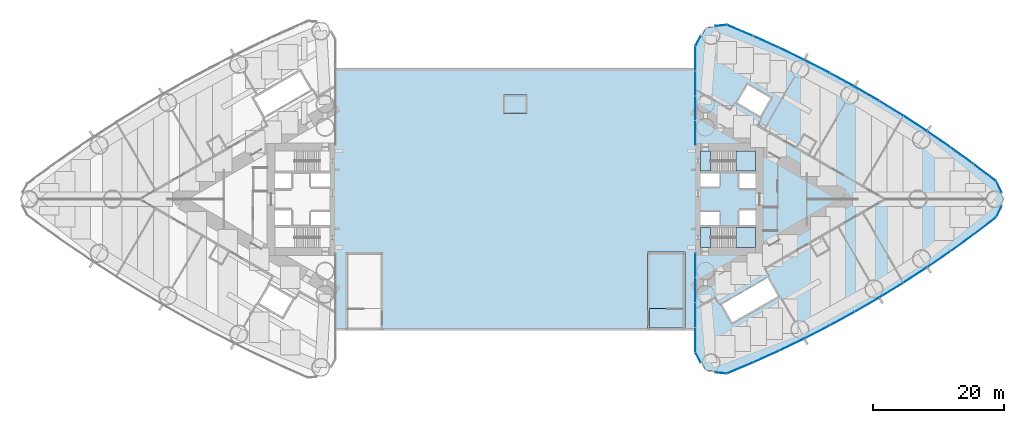
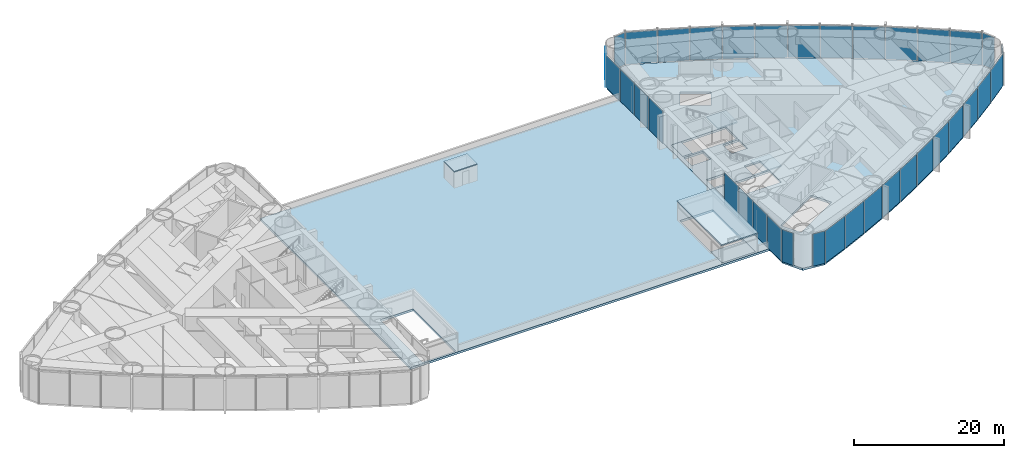
# One storey, part 15 of 23: 37 plates, 8 slabs, 6 elements without a shape of their own.
"""IFC4 building model written with IfcOpenShell, lengths in metres."""

from ifc_helpers import new_model, si_unit, direction, frame, origin, origin_2d, place, context, subcontext, project, spatial, polyline, rectangle, outline, extrude, material, layer, layer_set, type_object, element, aggregate, save


model = new_model("IFC4")

# Units and contexts
model_context = context("Model", 3, precision=1e-05, world=origin(), true_north=direction((0.0, 1.0)))
body_context = subcontext(model_context, "Body", "Model", "MODEL_VIEW")
ifc_project = project(units=[si_unit("LENGTHUNIT", "METRE"), si_unit("AREAUNIT", "SQUARE_METRE"), si_unit("VOLUMEUNIT", "CUBIC_METRE"), si_unit("PLANEANGLEUNIT", "RADIAN"), si_unit("MASSUNIT", "GRAM", prefix="KILO")], contexts=[model_context])

# Site, building, storey
site_placement = place(None, origin())
site = spatial("IfcSite", under=ifc_project, at=site_placement, CompositionType="ELEMENT")
building_placement = place(site_placement, origin())
building = spatial("IfcBuilding", under=site, at=building_placement, Name="Lancet Gate Hotel", CompositionType="ELEMENT")
storey_placement = place(building_placement, frame((0.0, 0.0, 12.60009765625)))
storey = spatial("IfcBuildingStorey", under=building, at=storey_placement, Name="L02", CompositionType="ELEMENT", Elevation=12.60009765625)

# Slabs
ifc_material_1 = material(Name="Concrete C50/60", Category="concrete")
ifc_layer_1 = layer(ifc_material_1, 0.35009765625)
ifc_layer_set_1 = layer_set([ifc_layer_1], Name="Floor slab 350")
slab_type_1 = type_object("IfcSlabType", Name="Floor slab 350", PredefinedType="FLOOR", material=ifc_layer_set_1)
slab_1_placement = place(storey_placement, frame((0.0, 0.0, -0.35009765625)))
element("IfcSlab", 1, at=slab_1_placement, inside=storey, type_object=slab_type_1, Name="T2 L02 floor slab", PredefinedType="FLOOR", context=body_context, shape_type="SweptSolid", body=[
    extrude(outline(polyline([(27.6201171875, 23.35498046875), (27.6201171875, -23.35498046875), (29.12158203125, -26.175537109375), (32.299072265625, -26.5048828125), (36.26708984375, -24.833740234375), (40.2177734375, -23.050048828125), (44.121826171875, -21.16650390625), (47.9765625, -19.18408203125), (51.77978515625, -17.104248046875), (55.528564453125, -14.92822265625), (59.220947265625, -12.657470703125), (62.854248046875, -10.29345703125), (66.42626953125, -7.837890625), (69.934814453125, -5.292236328125), (73.355712890625, -2.67431640625), (74.65576171875, 0.0), (73.355712890625, 2.67431640625), (69.934814453125, 5.292236328125), (66.42626953125, 7.837890625), (62.854248046875, 10.29345703125), (59.220947265625, 12.657470703125), (55.528564453125, 14.92822265625), (51.77978515625, 17.104248046875), (47.9765625, 19.18408203125), (44.121826171875, 21.16650390625), (40.2177734375, 23.050048828125), (36.26708984375, 24.833740234375), (32.299072265625, 26.5048828125), (29.12158203125, 26.175537109375), (27.6201171875, 23.35498046875)]), holes=[polyline([(36.699951171875, -7.39990234375), (36.699951171875, -4.300048828125), (28.300048828125, -4.300048828125), (28.300048828125, -7.39990234375), (36.699951171875, -7.39990234375)]), polyline([(28.300048828125, -4.0), (31.199951171875, -4.0), (31.199951171875, -1.89990234375), (28.300048828125, -1.89990234375), (28.300048828125, -4.0)]), polyline([(34.25, -4.0), (36.699951171875, -4.0), (36.699951171875, -1.64990234375), (34.25, -1.64990234375), (34.25, -4.0)]), polyline([(36.699951171875, 1.64990234375), (36.699951171875, 4.0), (34.25, 4.0), (34.25, 1.64990234375), (36.699951171875, 1.64990234375)]), polyline([(28.300048828125, 1.89990234375), (31.199951171875, 1.89990234375), (31.199951171875, 4.0), (28.300048828125, 4.0), (28.300048828125, 1.89990234375)]), polyline([(28.300048828125, 4.300048828125), (36.699951171875, 4.300048828125), (36.699951171875, 7.39990234375), (28.300048828125, 7.39990234375), (28.300048828125, 4.300048828125)]), polyline([(31.549072265625, -16.0810546875), (33.14892578125, -18.85205078125), (40.1640625, -14.802001953125), (38.56396484375, -12.031005859375), (31.549072265625, -16.0810546875)]), polyline([(33.887939453125, 14.73095703125), (37.43798828125, 12.680908203125), (39.0380859375, 15.451904296875), (35.488037109375, 17.501953125), (33.887939453125, 14.73095703125)])]), origin(), (0.0, 0.0, 1.0), 0.35009765625),
])
ifc_material_2 = material(Name="Concrete C50/60", Category="concrete")
ifc_layer_2 = layer(ifc_material_2, 0.35009765625)
ifc_layer_set_2 = layer_set([ifc_layer_2], Name="Podium roof slab 350")
slab_type_2 = type_object("IfcSlabType", Name="Podium roof slab 350", PredefinedType="ROOF", material=ifc_layer_set_2)
slab_2_placement = place(storey_placement, frame((0.0, 0.0, -0.35009765625)))
element("IfcSlab", 2, at=slab_2_placement, inside=storey, type_object=slab_type_2, Name="Maintenance roof", PredefinedType="ROOF", context=body_context, shape_type="SweptSolid", body=[
    extrude(outline(polyline([(27.6201171875, 20.0), (-27.6201171875, 20.0), (-27.6201171875, -20.0), (27.6201171875, -20.0), (27.6201171875, 20.0)]), holes=[polyline([(-20.5, -19.699951171875), (-20.5, -8.3798828125), (-25.60009765625, -8.3798828125), (-25.60009765625, -19.699951171875), (-20.5, -19.699951171875)]), polyline([(25.60009765625, -19.699951171875), (25.60009765625, -8.3798828125), (20.5, -8.3798828125), (20.5, -19.699951171875), (25.60009765625, -19.699951171875)])]), origin(), (0.0, 0.0, 1.0), 0.35009765625),
])
ifc_material_3 = material(Name="Concrete C40/50", Category="concrete")
ifc_layer_3 = layer(ifc_material_3, 0.199951171875)
ifc_layer_set_3 = layer_set([ifc_layer_3], Name="Podium stair head-house roof 200")
slab_type_3 = type_object("IfcSlabType", Name="Podium stair head-house roof 200", PredefinedType="ROOF", material=ifc_layer_set_3)
slab_3_placement = place(storey_placement, frame((0.0, 0.0, 3.0)))
element("IfcSlab", 3, at=slab_3_placement, inside=storey, type_object=slab_type_3, Name="Podium stair PS5 head-house roof", PredefinedType="ROOF", context=body_context, shape_type="SweptSolid", body=[
    extrude(outline(polyline([(20.199951171875, -20.0), (25.89990234375, -20.0), (25.89990234375, -8.080078125), (20.199951171875, -8.080078125), (20.199951171875, -20.0)])), origin(), (0.0, 0.0, 1.0), 0.199951171875),
])

# Curtain wall, plates
ifc_material_4 = material(Name="Aluminium curtain wall", Category="aluminium")
curtain_wall_type = type_object("IfcCurtainWallType", Name="Podium curtain wall", PredefinedType="USERDEFINED", material=ifc_material_4)
curtain_wall_1_placement = place(storey_placement, origin())
curtain_wall_1 = element("IfcCurtainWall", 4, at=curtain_wall_1_placement, inside=storey, type_object=curtain_wall_type, Name="T2 L02 curtain wall 1", ObjectType="UNITISED CURTAIN WALL", PredefinedType="USERDEFINED")
ifc_material_5 = material(Name="Glass double glazed unit 10-16-10", Category="glass")
ifc_layer_4 = layer(ifc_material_5, 0.035888671875)
ifc_layer_set_4 = layer_set([ifc_layer_4], Name="Podium vision panel")
plate_type_1 = type_object("IfcPlateType", Name="Podium vision panel", PredefinedType="CURTAIN_PANEL", material=ifc_layer_set_4)
plate_1_placement = place(storey_placement, frame((27.5, -10.09814453125, 0.0), z_axis=(0.0, 0.0, 1.0), x_axis=(0.0, -1.0, 0.0)))
plate_1 = element("IfcPlate", 5, at=plate_1_placement, type_object=plate_type_1, Name="T2 L02 curtain wall 1 panel 1", PredefinedType="CURTAIN_PANEL", context=body_context, shape_type="SweptSolid", body=[
    extrude(rectangle(XDim=3.731201171875, YDim=0.035888671875, at=origin_2d()), origin(), (0.0, 0.0, 1.0), 5.25),
])
plate_2_placement = place(storey_placement, frame((27.5, -13.894287109375, 0.0), z_axis=(0.0, 0.0, 1.0), x_axis=(0.0, -1.0, 0.0)))
plate_2 = element("IfcPlate", 6, at=plate_2_placement, type_object=plate_type_1, Name="T2 L02 curtain wall 1 panel 2", PredefinedType="CURTAIN_PANEL", context=body_context, shape_type="SweptSolid", body=[
    extrude(rectangle(XDim=3.731201171875, YDim=0.035888671875, at=origin_2d()), origin(), (0.0, 0.0, 1.0), 5.25),
])
plate_3_placement = place(storey_placement, frame((27.5, -17.6904296875, 0.0), z_axis=(0.0, 0.0, 1.0), x_axis=(0.0, -1.0, 0.0)))
plate_3 = element("IfcPlate", 7, at=plate_3_placement, type_object=plate_type_1, Name="T2 L02 curtain wall 1 panel 3", PredefinedType="CURTAIN_PANEL", context=body_context, shape_type="SweptSolid", body=[
    extrude(rectangle(XDim=3.731201171875, YDim=0.035888671875, at=origin_2d()), origin(), (0.0, 0.0, 1.0), 5.25),
])
plate_4_placement = place(storey_placement, frame((27.5, -21.48681640625, 0.0), z_axis=(0.0, 0.0, 1.0), x_axis=(0.0, -1.0, 0.0)))
plate_4 = element("IfcPlate", 8, at=plate_4_placement, type_object=plate_type_1, Name="T2 L02 curtain wall 1 panel 4", PredefinedType="CURTAIN_PANEL", context=body_context, shape_type="SweptSolid", body=[
    extrude(rectangle(XDim=3.731201171875, YDim=0.035888671875, at=origin_2d()), origin(), (0.0, 0.0, 1.0), 5.25),
])
plate_5_placement = place(storey_placement, frame((27.933349609375, -24.19873046875, 0.0), z_axis=(0.0, 0.0, 1.0), x_axis=(0.469897827284, -0.882720811987, 0.0)))
plate_5 = element("IfcPlate", 9, at=plate_5_placement, type_object=plate_type_1, Name="T2 L02 curtain wall 1 panel 5", PredefinedType="CURTAIN_PANEL", context=body_context, shape_type="SweptSolid", body=[
    extrude(rectangle(XDim=1.779052734375, YDim=0.035888671875, at=origin_2d()), origin(), (0.0, 0.0, 1.0), 5.25),
])
aggregate(curtain_wall_1, [plate_1, plate_2, plate_3, plate_4, plate_5])

curtain_wall_2_placement = place(storey_placement, origin())
curtain_wall_2 = element("IfcCurtainWall", 10, at=curtain_wall_2_placement, inside=storey, type_object=curtain_wall_type, Name="T2 L02 curtain wall 2", ObjectType="UNITISED CURTAIN WALL", PredefinedType="USERDEFINED")
plate_6_placement = place(storey_placement, frame((31.400634765625, -26.532470703125, 0.0), z_axis=(0.0, 0.0, 1.0), x_axis=(0.994672262412, -0.10308778001, 0.0)))
plate_6 = element("IfcPlate", 11, at=plate_6_placement, type_object=plate_type_1, Name="T2 L02 curtain wall 2 panel 1", PredefinedType="CURTAIN_PANEL", context=body_context, shape_type="SweptSolid", body=[
    extrude(rectangle(XDim=1.7783203125, YDim=0.035888671875, at=origin_2d()), origin(), (0.0, 0.0, 1.0), 5.25),
])
plate_7_placement = place(storey_placement, frame((34.316162109375, -25.78564453125, 0.0), z_axis=(0.0, 0.0, 1.0), x_axis=(0.92159330598, 0.38815689917, 0.0)))
plate_7 = element("IfcPlate", 12, at=plate_7_placement, type_object=plate_type_1, Name="T2 L02 curtain wall 2 panel 2", PredefinedType="CURTAIN_PANEL", context=body_context, shape_type="SweptSolid", body=[
    extrude(rectangle(XDim=4.272705078125, YDim=0.035888671875, at=origin_2d()), origin(), (0.0, 0.0, 1.0), 5.25),
])
plate_8_placement = place(storey_placement, frame((38.291748046875, -24.05126953125, 0.0), z_axis=(0.0, 0.0, 1.0), x_axis=(0.911415640556, 0.41148697446, 0.0)))
plate_8 = element("IfcPlate", 13, at=plate_8_placement, type_object=plate_type_1, Name="T2 L02 curtain wall 2 panel 3", PredefinedType="CURTAIN_PANEL", context=body_context, shape_type="SweptSolid", body=[
    extrude(rectangle(XDim=4.272705078125, YDim=0.035888671875, at=origin_2d()), origin(), (0.0, 0.0, 1.0), 5.25),
])
plate_9_placement = place(storey_placement, frame((42.221923828125, -22.21630859375, 0.0), z_axis=(0.0, 0.0, 1.0), x_axis=(0.90064748964, 0.434550456686, 0.0)))
plate_9 = element("IfcPlate", 14, at=plate_9_placement, type_object=plate_type_1, Name="T2 L02 curtain wall 2 panel 4", PredefinedType="CURTAIN_PANEL", context=body_context, shape_type="SweptSolid", body=[
    extrude(rectangle(XDim=4.272705078125, YDim=0.035888671875, at=origin_2d()), origin(), (0.0, 0.0, 1.0), 5.25),
])
plate_10_placement = place(storey_placement, frame((46.10400390625, -20.281982421875, 0.0), z_axis=(0.0, 0.0, 1.0), x_axis=(0.889295829671, 0.457332403541, 0.0)))
plate_10 = element("IfcPlate", 15, at=plate_10_placement, type_object=plate_type_1, Name="T2 L02 curtain wall 2 panel 5", PredefinedType="CURTAIN_PANEL", context=body_context, shape_type="SweptSolid", body=[
    extrude(rectangle(XDim=4.272705078125, YDim=0.035888671875, at=origin_2d()), origin(), (0.0, 0.0, 1.0), 5.25),
])
plate_11_placement = place(storey_placement, frame((49.935791015625, -18.249267578125, 0.0), z_axis=(0.0, 0.0, 1.0), x_axis=(0.877368015134, 0.47981805512, 0.0)))
plate_11 = element("IfcPlate", 16, at=plate_11_placement, type_object=plate_type_1, Name="T2 L02 curtain wall 2 panel 6", PredefinedType="CURTAIN_PANEL", context=body_context, shape_type="SweptSolid", body=[
    extrude(rectangle(XDim=4.272705078125, YDim=0.035888671875, at=origin_2d()), origin(), (0.0, 0.0, 1.0), 5.25),
])
plate_12_placement = place(storey_placement, frame((53.71435546875, -16.119873046875, 0.0), z_axis=(0.0, 0.0, 1.0), x_axis=(0.864871773788, 0.501992843479, 0.0)))
plate_12 = element("IfcPlate", 17, at=plate_12_placement, type_object=plate_type_1, Name="T2 L02 curtain wall 2 panel 7", PredefinedType="CURTAIN_PANEL", context=body_context, shape_type="SweptSolid", body=[
    extrude(rectangle(XDim=4.272705078125, YDim=0.035888671875, at=origin_2d()), origin(), (0.0, 0.0, 1.0), 5.25),
])
plate_13_placement = place(storey_placement, frame((57.437744140625, -13.89501953125, 0.0), z_axis=(0.0, 0.0, 1.0), x_axis=(0.851815201664, 0.523842402077, 0.0)))
plate_13 = element("IfcPlate", 18, at=plate_13_placement, type_object=plate_type_1, Name="T2 L02 curtain wall 2 panel 8", PredefinedType="CURTAIN_PANEL", context=body_context, shape_type="SweptSolid", body=[
    extrude(rectangle(XDim=4.272705078125, YDim=0.035888671875, at=origin_2d()), origin(), (0.0, 0.0, 1.0), 5.25),
])
plate_14_placement = place(storey_placement, frame((61.10302734375, -11.576171875, 0.0), z_axis=(0.0, 0.0, 1.0), x_axis=(0.838206757819, 0.54535257508, 0.0)))
plate_14 = element("IfcPlate", 19, at=plate_14_placement, type_object=plate_type_1, Name="T2 L02 curtain wall 2 panel 9", PredefinedType="CURTAIN_PANEL", context=body_context, shape_type="SweptSolid", body=[
    extrude(rectangle(XDim=4.272705078125, YDim=0.035888671875, at=origin_2d()), origin(), (0.0, 0.0, 1.0), 5.25),
])
plate_15_placement = place(storey_placement, frame((64.708251953125, -9.16455078125, 0.0), z_axis=(0.0, 0.0, 1.0), x_axis=(0.824055258853, 0.566509426538, 0.0)))
plate_15 = element("IfcPlate", 20, at=plate_15_placement, type_object=plate_type_1, Name="T2 L02 curtain wall 2 panel 10", PredefinedType="CURTAIN_PANEL", context=body_context, shape_type="SweptSolid", body=[
    extrude(rectangle(XDim=4.272705078125, YDim=0.035888671875, at=origin_2d()), origin(), (0.0, 0.0, 1.0), 5.25),
])
plate_16_placement = place(storey_placement, frame((68.2509765625, -6.662109375, 0.0), z_axis=(0.0, 0.0, 1.0), x_axis=(0.809369873203, 0.587299249405, 0.0)))
plate_16 = element("IfcPlate", 21, at=plate_16_placement, type_object=plate_type_1, Name="T2 L02 curtain wall 2 panel 11", PredefinedType="CURTAIN_PANEL", context=body_context, shape_type="SweptSolid", body=[
    extrude(rectangle(XDim=4.272705078125, YDim=0.035888671875, at=origin_2d()), origin(), (0.0, 0.0, 1.0), 5.25),
])
plate_17_placement = place(storey_placement, frame((71.72900390625, -4.0703125, 0.0), z_axis=(0.0, 0.0, 1.0), x_axis=(0.794160115195, 0.607708574428, 0.0)))
plate_17 = element("IfcPlate", 22, at=plate_17_placement, type_object=plate_type_1, Name="T2 L02 curtain wall 2 panel 12", PredefinedType="CURTAIN_PANEL", context=body_context, shape_type="SweptSolid", body=[
    extrude(rectangle(XDim=4.272705078125, YDim=0.035888671875, at=origin_2d()), origin(), (0.0, 0.0, 1.0), 5.25),
])
plate_18_placement = place(storey_placement, frame((73.88671875, -1.856201171875, 0.0), z_axis=(0.0, 0.0, 1.0), x_axis=(0.437169070119, 0.899379343843, 0.0)))
plate_18 = element("IfcPlate", 23, at=plate_18_placement, type_object=plate_type_1, Name="T2 L02 curtain wall 2 panel 13", PredefinedType="CURTAIN_PANEL", context=body_context, shape_type="SweptSolid", body=[
    extrude(rectangle(XDim=1.92724609375, YDim=0.035888671875, at=origin_2d()), origin(), (0.0, 0.0, 1.0), 5.25),
])
aggregate(curtain_wall_2, [plate_6, plate_7, plate_8, plate_9, plate_10, plate_11, plate_12, plate_13, plate_14, plate_15, plate_16, plate_17, plate_18])

curtain_wall_3_placement = place(storey_placement, origin())
curtain_wall_3 = element("IfcCurtainWall", 24, at=curtain_wall_3_placement, inside=storey, type_object=curtain_wall_type, Name="T2 L02 curtain wall 3", ObjectType="UNITISED CURTAIN WALL", PredefinedType="USERDEFINED")
plate_19_placement = place(storey_placement, frame((73.88671875, 1.856201171875, 0.0), z_axis=(0.0, 0.0, 1.0), x_axis=(-0.437169070119, 0.899379343843, 0.0)))
plate_19 = element("IfcPlate", 25, at=plate_19_placement, type_object=plate_type_1, Name="T2 L02 curtain wall 3 panel 1", PredefinedType="CURTAIN_PANEL", context=body_context, shape_type="SweptSolid", body=[
    extrude(rectangle(XDim=1.92724609375, YDim=0.035888671875, at=origin_2d()), origin(), (0.0, 0.0, 1.0), 5.25),
])
plate_20_placement = place(storey_placement, frame((71.72900390625, 4.0703125, 0.0), z_axis=(0.0, 0.0, 1.0), x_axis=(-0.794160115195, 0.607708574428, 0.0)))
plate_20 = element("IfcPlate", 26, at=plate_20_placement, type_object=plate_type_1, Name="T2 L02 curtain wall 3 panel 2", PredefinedType="CURTAIN_PANEL", context=body_context, shape_type="SweptSolid", body=[
    extrude(rectangle(XDim=4.272705078125, YDim=0.035888671875, at=origin_2d()), origin(), (0.0, 0.0, 1.0), 5.25),
])
plate_21_placement = place(storey_placement, frame((68.2509765625, 6.662109375, 0.0), z_axis=(0.0, 0.0, 1.0), x_axis=(-0.809369873203, 0.587299249405, 0.0)))
plate_21 = element("IfcPlate", 27, at=plate_21_placement, type_object=plate_type_1, Name="T2 L02 curtain wall 3 panel 3", PredefinedType="CURTAIN_PANEL", context=body_context, shape_type="SweptSolid", body=[
    extrude(rectangle(XDim=4.272705078125, YDim=0.035888671875, at=origin_2d()), origin(), (0.0, 0.0, 1.0), 5.25),
])
plate_22_placement = place(storey_placement, frame((64.708251953125, 9.16455078125, 0.0), z_axis=(0.0, 0.0, 1.0), x_axis=(-0.824055258853, 0.566509426538, 0.0)))
plate_22 = element("IfcPlate", 28, at=plate_22_placement, type_object=plate_type_1, Name="T2 L02 curtain wall 3 panel 4", PredefinedType="CURTAIN_PANEL", context=body_context, shape_type="SweptSolid", body=[
    extrude(rectangle(XDim=4.272705078125, YDim=0.035888671875, at=origin_2d()), origin(), (0.0, 0.0, 1.0), 5.25),
])
plate_23_placement = place(storey_placement, frame((61.10302734375, 11.576171875, 0.0), z_axis=(0.0, 0.0, 1.0), x_axis=(-0.838206757819, 0.54535257508, 0.0)))
plate_23 = element("IfcPlate", 29, at=plate_23_placement, type_object=plate_type_1, Name="T2 L02 curtain wall 3 panel 5", PredefinedType="CURTAIN_PANEL", context=body_context, shape_type="SweptSolid", body=[
    extrude(rectangle(XDim=4.272705078125, YDim=0.035888671875, at=origin_2d()), origin(), (0.0, 0.0, 1.0), 5.25),
])
plate_24_placement = place(storey_placement, frame((57.437744140625, 13.89501953125, 0.0), z_axis=(0.0, 0.0, 1.0), x_axis=(-0.851815201664, 0.523842402077, 0.0)))
plate_24 = element("IfcPlate", 30, at=plate_24_placement, type_object=plate_type_1, Name="T2 L02 curtain wall 3 panel 6", PredefinedType="CURTAIN_PANEL", context=body_context, shape_type="SweptSolid", body=[
    extrude(rectangle(XDim=4.272705078125, YDim=0.035888671875, at=origin_2d()), origin(), (0.0, 0.0, 1.0), 5.25),
])
plate_25_placement = place(storey_placement, frame((53.71435546875, 16.119873046875, 0.0), z_axis=(0.0, 0.0, 1.0), x_axis=(-0.864871773788, 0.501992843479, 0.0)))
plate_25 = element("IfcPlate", 31, at=plate_25_placement, type_object=plate_type_1, Name="T2 L02 curtain wall 3 panel 7", PredefinedType="CURTAIN_PANEL", context=body_context, shape_type="SweptSolid", body=[
    extrude(rectangle(XDim=4.272705078125, YDim=0.035888671875, at=origin_2d()), origin(), (0.0, 0.0, 1.0), 5.25),
])
plate_26_placement = place(storey_placement, frame((49.935791015625, 18.249267578125, 0.0), z_axis=(0.0, 0.0, 1.0), x_axis=(-0.877368015134, 0.47981805512, 0.0)))
plate_26 = element("IfcPlate", 32, at=plate_26_placement, type_object=plate_type_1, Name="T2 L02 curtain wall 3 panel 8", PredefinedType="CURTAIN_PANEL", context=body_context, shape_type="SweptSolid", body=[
    extrude(rectangle(XDim=4.272705078125, YDim=0.035888671875, at=origin_2d()), origin(), (0.0, 0.0, 1.0), 5.25),
])
plate_27_placement = place(storey_placement, frame((46.10400390625, 20.281982421875, 0.0), z_axis=(0.0, 0.0, 1.0), x_axis=(-0.889295829671, 0.457332403541, 0.0)))
plate_27 = element("IfcPlate", 33, at=plate_27_placement, type_object=plate_type_1, Name="T2 L02 curtain wall 3 panel 9", PredefinedType="CURTAIN_PANEL", context=body_context, shape_type="SweptSolid", body=[
    extrude(rectangle(XDim=4.272705078125, YDim=0.035888671875, at=origin_2d()), origin(), (0.0, 0.0, 1.0), 5.25),
])
plate_28_placement = place(storey_placement, frame((42.221923828125, 22.21630859375, 0.0), z_axis=(0.0, 0.0, 1.0), x_axis=(-0.90064748964, 0.434550456686, 0.0)))
plate_28 = element("IfcPlate", 34, at=plate_28_placement, type_object=plate_type_1, Name="T2 L02 curtain wall 3 panel 10", PredefinedType="CURTAIN_PANEL", context=body_context, shape_type="SweptSolid", body=[
    extrude(rectangle(XDim=4.272705078125, YDim=0.035888671875, at=origin_2d()), origin(), (0.0, 0.0, 1.0), 5.25),
])
plate_29_placement = place(storey_placement, frame((38.291748046875, 24.05126953125, 0.0), z_axis=(0.0, 0.0, 1.0), x_axis=(-0.911415640556, 0.41148697446, 0.0)))
plate_29 = element("IfcPlate", 35, at=plate_29_placement, type_object=plate_type_1, Name="T2 L02 curtain wall 3 panel 11", PredefinedType="CURTAIN_PANEL", context=body_context, shape_type="SweptSolid", body=[
    extrude(rectangle(XDim=4.272705078125, YDim=0.035888671875, at=origin_2d()), origin(), (0.0, 0.0, 1.0), 5.25),
])
plate_30_placement = place(storey_placement, frame((34.316162109375, 25.78564453125, 0.0), z_axis=(0.0, 0.0, 1.0), x_axis=(-0.92159330598, 0.38815689917, 0.0)))
plate_30 = element("IfcPlate", 36, at=plate_30_placement, type_object=plate_type_1, Name="T2 L02 curtain wall 3 panel 12", PredefinedType="CURTAIN_PANEL", context=body_context, shape_type="SweptSolid", body=[
    extrude(rectangle(XDim=4.272705078125, YDim=0.035888671875, at=origin_2d()), origin(), (0.0, 0.0, 1.0), 5.25),
])
plate_31_placement = place(storey_placement, frame((31.400634765625, 26.532470703125, 0.0), z_axis=(0.0, 0.0, 1.0), x_axis=(-0.994672262412, -0.10308778001, 0.0)))
plate_31 = element("IfcPlate", 37, at=plate_31_placement, type_object=plate_type_1, Name="T2 L02 curtain wall 3 panel 13", PredefinedType="CURTAIN_PANEL", context=body_context, shape_type="SweptSolid", body=[
    extrude(rectangle(XDim=1.7783203125, YDim=0.035888671875, at=origin_2d()), origin(), (0.0, 0.0, 1.0), 5.25),
])
aggregate(curtain_wall_3, [plate_19, plate_20, plate_21, plate_22, plate_23, plate_24, plate_25, plate_26, plate_27, plate_28, plate_29, plate_30, plate_31])

curtain_wall_4_placement = place(storey_placement, origin())
curtain_wall_4 = element("IfcCurtainWall", 38, at=curtain_wall_4_placement, inside=storey, type_object=curtain_wall_type, Name="T2 L02 curtain wall 4", ObjectType="UNITISED CURTAIN WALL", PredefinedType="USERDEFINED")
plate_32_placement = place(storey_placement, frame((27.933349609375, 24.19873046875, 0.0), z_axis=(0.0, 0.0, 1.0), x_axis=(-0.469897827284, -0.882720811987, 0.0)))
plate_32 = element("IfcPlate", 39, at=plate_32_placement, type_object=plate_type_1, Name="T2 L02 curtain wall 4 panel 1", PredefinedType="CURTAIN_PANEL", context=body_context, shape_type="SweptSolid", body=[
    extrude(rectangle(XDim=1.779052734375, YDim=0.035888671875, at=origin_2d()), origin(), (0.0, 0.0, 1.0), 5.25),
])
plate_33_placement = place(storey_placement, frame((27.5, 21.48681640625, 0.0), z_axis=(0.0, 0.0, 1.0), x_axis=(0.0, -1.0, 0.0)))
plate_33 = element("IfcPlate", 40, at=plate_33_placement, type_object=plate_type_1, Name="T2 L02 curtain wall 4 panel 2", PredefinedType="CURTAIN_PANEL", context=body_context, shape_type="SweptSolid", body=[
    extrude(rectangle(XDim=3.731201171875, YDim=0.035888671875, at=origin_2d()), origin(), (0.0, 0.0, 1.0), 5.25),
])
plate_34_placement = place(storey_placement, frame((27.5, 17.6904296875, 0.0), z_axis=(0.0, 0.0, 1.0), x_axis=(0.0, -1.0, 0.0)))
plate_34 = element("IfcPlate", 41, at=plate_34_placement, type_object=plate_type_1, Name="T2 L02 curtain wall 4 panel 3", PredefinedType="CURTAIN_PANEL", context=body_context, shape_type="SweptSolid", body=[
    extrude(rectangle(XDim=3.731201171875, YDim=0.035888671875, at=origin_2d()), origin(), (0.0, 0.0, 1.0), 5.25),
])
plate_35_placement = place(storey_placement, frame((27.5, 13.894287109375, 0.0), z_axis=(0.0, 0.0, 1.0), x_axis=(0.0, -1.0, 0.0)))
plate_35 = element("IfcPlate", 42, at=plate_35_placement, type_object=plate_type_1, Name="T2 L02 curtain wall 4 panel 4", PredefinedType="CURTAIN_PANEL", context=body_context, shape_type="SweptSolid", body=[
    extrude(rectangle(XDim=3.731201171875, YDim=0.035888671875, at=origin_2d()), origin(), (0.0, 0.0, 1.0), 5.25),
])
plate_36_placement = place(storey_placement, frame((27.5, 10.09814453125, 0.0), z_axis=(0.0, 0.0, 1.0), x_axis=(0.0, -1.0, 0.0)))
plate_36 = element("IfcPlate", 43, at=plate_36_placement, type_object=plate_type_1, Name="T2 L02 curtain wall 4 panel 5", PredefinedType="CURTAIN_PANEL", context=body_context, shape_type="SweptSolid", body=[
    extrude(rectangle(XDim=3.731201171875, YDim=0.035888671875, at=origin_2d()), origin(), (0.0, 0.0, 1.0), 5.25),
])
aggregate(curtain_wall_4, [plate_32, plate_33, plate_34, plate_35, plate_36])

# Plate
ifc_material_6 = material(Name="Aluminium roof deck sheet", Category="aluminium")
ifc_layer_5 = layer(ifc_material_6, 0.14990234375)
ifc_layer_set_5 = layer_set([ifc_layer_5], Name="Roof access store deck plate 150")
plate_type_2 = type_object("IfcPlateType", Name="Roof access store deck plate 150", PredefinedType="SHEET", material=ifc_layer_set_5)
plate_37_placement = place(storey_placement, frame((0.0, 0.0, 2.599853515625)))
element("IfcPlate", 44, at=plate_37_placement, inside=storey, type_object=plate_type_2, Name="Podium roof access store deck", PredefinedType="SHEET", context=body_context, shape_type="SweptSolid", body=[
    extrude(outline(polyline([(1.800048828125, 13.10009765625), (1.800048828125, 15.89990234375), (-1.800048828125, 15.89990234375), (-1.800048828125, 13.10009765625), (1.800048828125, 13.10009765625)])), origin(), (0.0, 0.0, 1.0), 0.150146484375),
])

# Stair, slabs
ifc_material_7 = material(Name="Exit stair 30 risers 1500")
stair_type = type_object("IfcStairType", Name="Exit stair 30 risers 1500", PredefinedType="HALF_TURN_STAIR", material=ifc_material_7)
stair_1_placement = place(storey_placement, origin())
stair_1 = element("IfcStair", 45, at=stair_1_placement, inside=storey, type_object=stair_type, Name="T2 stair 1 L02", PredefinedType="HALF_TURN_STAIR")
ifc_material_8 = material(Name="Concrete C40/50", Category="concrete")
ifc_layer_6 = layer(ifc_material_8, 0.199951171875)
ifc_layer_set_6 = layer_set([ifc_layer_6], Name="Stair landing 200")
slab_type_4 = type_object("IfcSlabType", Name="Stair landing 200", PredefinedType="LANDING", material=ifc_layer_set_6)
slab_4_placement = place(storey_placement, frame((0.0, 0.0, -0.2001953125)))
slab_4 = element("IfcSlab", 46, at=slab_4_placement, type_object=slab_type_4, Name="ST3 landing 1", PredefinedType="LANDING", context=body_context, shape_type="SweptSolid", body=[
    extrude(outline(polyline([(28.300048828125, -7.39990234375), (29.800048828125, -7.39990234375), (29.800048828125, -4.300048828125), (28.300048828125, -4.300048828125), (28.300048828125, -7.39990234375)])), origin(), (0.0, 0.0, 1.0), 0.2001953125),
])
slab_5_placement = place(storey_placement, frame((0.0, 0.0, 2.5)))
slab_5 = element("IfcSlab", 47, at=slab_5_placement, type_object=slab_type_4, Name="ST3 landing 2", PredefinedType="LANDING", context=body_context, shape_type="SweptSolid", body=[
    extrude(outline(polyline([(33.719970703125, -7.39990234375), (36.699951171875, -7.39990234375), (36.699951171875, -4.300048828125), (33.719970703125, -4.300048828125), (33.719970703125, -7.39990234375)])), origin(), (0.0, 0.0, 1.0), 0.199951171875),
])
aggregate(stair_1, [slab_4, slab_5])

stair_2_placement = place(storey_placement, origin())
stair_2 = element("IfcStair", 48, at=stair_2_placement, inside=storey, type_object=stair_type, Name="T2 stair 2 L02", PredefinedType="HALF_TURN_STAIR")
slab_6_placement = place(storey_placement, frame((0.0, 0.0, -0.2001953125)))
slab_6 = element("IfcSlab", 49, at=slab_6_placement, type_object=slab_type_4, Name="ST4 landing 1", PredefinedType="LANDING", context=body_context, shape_type="SweptSolid", body=[
    extrude(outline(polyline([(28.300048828125, 4.300048828125), (29.800048828125, 4.300048828125), (29.800048828125, 7.39990234375), (28.300048828125, 7.39990234375), (28.300048828125, 4.300048828125)])), origin(), (0.0, 0.0, 1.0), 0.2001953125),
])
slab_7_placement = place(storey_placement, frame((0.0, 0.0, 2.5)))
slab_7 = element("IfcSlab", 50, at=slab_7_placement, type_object=slab_type_4, Name="ST4 landing 2", PredefinedType="LANDING", context=body_context, shape_type="SweptSolid", body=[
    extrude(outline(polyline([(33.719970703125, 4.300048828125), (36.699951171875, 4.300048828125), (36.699951171875, 7.39990234375), (33.719970703125, 7.39990234375), (33.719970703125, 4.300048828125)])), origin(), (0.0, 0.0, 1.0), 0.199951171875),
])
aggregate(stair_2, [slab_6, slab_7])

# Slab
slab_8_placement = place(storey_placement, frame((0.0, 0.0, -0.2001953125)))
element("IfcSlab", 51, at=slab_8_placement, inside=storey, type_object=slab_type_4, Name="PS5 top landing L02", PredefinedType="LANDING", context=body_context, shape_type="SweptSolid", body=[
    extrude(outline(polyline([(20.5, -19.699951171875), (25.60009765625, -19.699951171875), (25.60009765625, -16.699951171875), (20.5, -16.699951171875), (20.5, -19.699951171875)])), origin(), (0.0, 0.0, 1.0), 0.2001953125),
])

save(model, "model.ifc")
